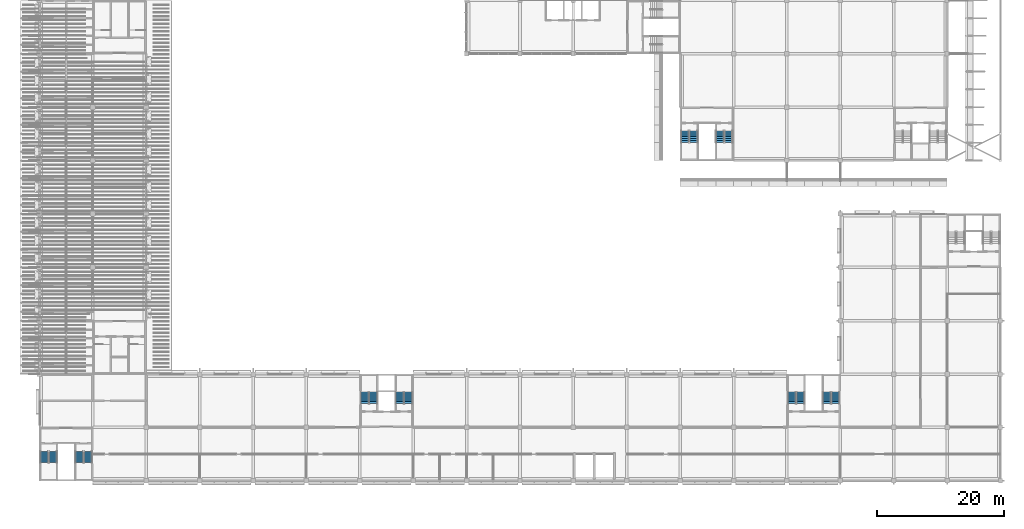
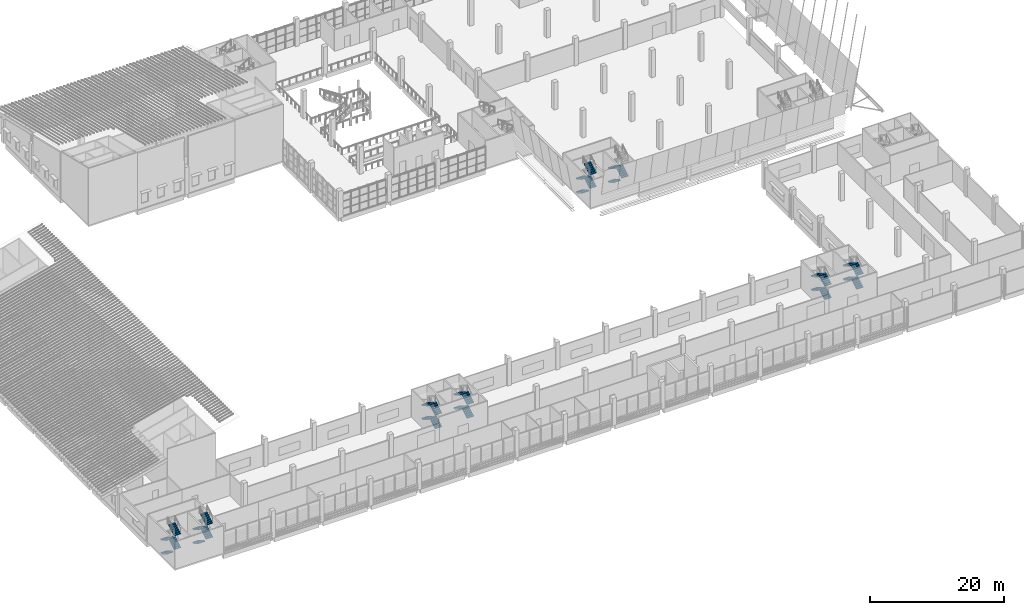
# One storey, part 29 of 82: 31 stair flights, 8 elements without a shape of their own.
"""IFC4 building model written with IfcOpenShell, lengths in metres."""

from ifc_helpers import new_model, si_unit, direction, frame, origin, place, context, subcontext, project, spatial, polyline, outline, extrude, material, type_object, element, aggregate, save


model = new_model("IFC4")

# Units and contexts
model_context = context("Model", 3, precision=1e-05, world=origin(), true_north=direction((0.0, 1.0)))
body_context = subcontext(model_context, "Body", "Model", "MODEL_VIEW")
ifc_project = project(units=[si_unit("LENGTHUNIT", "METRE"), si_unit("AREAUNIT", "SQUARE_METRE"), si_unit("VOLUMEUNIT", "CUBIC_METRE"), si_unit("PLANEANGLEUNIT", "RADIAN"), si_unit("MASSUNIT", "GRAM", prefix="KILO")], contexts=[model_context])

# Site, building, storey
site_placement = place(None, origin())
site = spatial("IfcSite", under=ifc_project, at=site_placement, CompositionType="ELEMENT")
building_placement = place(site_placement, origin())
building = spatial("IfcBuilding", under=site, at=building_placement, Name="Almond Square Museum", CompositionType="ELEMENT")
storey_placement = place(building_placement, frame((0.0, 0.0, 20.0)))
storey = spatial("IfcBuildingStorey", under=building, at=storey_placement, Name="L03", CompositionType="ELEMENT", Elevation=20.0)

# Stair, stair flights
ifc_material_1 = material(Name="Concrete C40/50", Category="concrete")
stair_type = type_object("IfcStairType", Name="Exit stair 28 risers of 179 mm", PredefinedType="HALF_TURN_STAIR", material=ifc_material_1)
stair_1_placement = place(storey_placement, origin())
stair_1 = element("IfcStair", 1, at=stair_1_placement, inside=storey, type_object=stair_type, Name="L03 stair H1-1", PredefinedType="HALF_TURN_STAIR")
ifc_material_2 = material(Name="Concrete C40/50", Category="concrete")
stair_flight_type = type_object("IfcStairFlightType", Name="Concrete flight", PredefinedType="STRAIGHT", material=ifc_material_2)
stair_flight_1_placement = place(storey_placement, frame((107.574951171875, 55.050048828125, 0.0), z_axis=(0.0, 0.0, 1.0), x_axis=(0.0, -1.0, 0.0)))
stair_flight_1 = element("IfcStairFlight", 2, at=stair_flight_1_placement, type_object=stair_flight_type, Name="ST-01 flight 1", NumberOfRisers=7, NumberOfTreads=6, PredefinedType="STRAIGHT", RiserHeight=0.178571429, TreadLength=0.3, context=body_context, shape_type="SweptSolid", body=[
    extrude(outline(polyline([(0.0, 0.0), (0.0, 0.178466796875), (0.300048828125, 0.178466796875), (0.300048828125, 0.357177734375), (0.60009765625, 0.357177734375), (0.60009765625, 0.53564453125), (0.89990234375, 0.53564453125), (0.89990234375, 0.71435546875), (1.199951171875, 0.71435546875), (1.199951171875, 0.892822265625), (1.5, 0.892822265625), (1.5, 1.071533203125), (1.800048828125, 1.071533203125), (1.800048828125, 1.25), (1.800048828125, 0.89697265625), (0.29296875, 0.0), (0.0, 0.0)])), frame((0.0, 0.574951171875, 0.0), z_axis=(0.0, -1.0, 0.0), x_axis=(1.0, 0.0, 0.0)), (0.0, 0.0, 1.0), 1.14990234375),
])
stair_flight_2_placement = place(storey_placement, frame((108.925048828125, 53.25, 1.25), z_axis=(0.0, 0.0, 1.0), x_axis=(0.0, 1.0, 0.0)))
stair_flight_2 = element("IfcStairFlight", 3, at=stair_flight_2_placement, type_object=stair_flight_type, Name="ST-01 flight 2", NumberOfRisers=7, NumberOfTreads=6, PredefinedType="STRAIGHT", RiserHeight=0.178571429, TreadLength=0.3, context=body_context, shape_type="SweptSolid", body=[
    extrude(outline(polyline([(0.0, 0.0), (0.0, 0.178466796875), (0.300048828125, 0.178466796875), (0.300048828125, 0.357177734375), (0.60009765625, 0.357177734375), (0.60009765625, 0.53564453125), (0.89990234375, 0.53564453125), (0.89990234375, 0.71435546875), (1.199951171875, 0.71435546875), (1.199951171875, 0.892822265625), (1.5, 0.892822265625), (1.5, 1.071533203125), (1.800048828125, 1.071533203125), (1.800048828125, 1.25), (1.800048828125, 0.89697265625), (0.29296875, 0.0), (0.0, 0.0)])), frame((0.0, 0.574951171875, 0.0), z_axis=(0.0, -1.0, 0.0), x_axis=(1.0, 0.0, 0.0)), (0.0, 0.0, 1.0), 1.14990234375),
])
stair_flight_3_placement = place(storey_placement, frame((107.574951171875, 55.050048828125, 2.5), z_axis=(0.0, 0.0, 1.0), x_axis=(0.0, -1.0, 0.0)))
stair_flight_3 = element("IfcStairFlight", 4, at=stair_flight_3_placement, type_object=stair_flight_type, Name="ST-01 flight 3", NumberOfRisers=7, NumberOfTreads=6, PredefinedType="STRAIGHT", RiserHeight=0.178571429, TreadLength=0.3, context=body_context, shape_type="SweptSolid", body=[
    extrude(outline(polyline([(0.0, 0.0), (0.0, 0.178466796875), (0.300048828125, 0.178466796875), (0.300048828125, 0.357177734375), (0.60009765625, 0.357177734375), (0.60009765625, 0.53564453125), (0.89990234375, 0.53564453125), (0.89990234375, 0.71435546875), (1.199951171875, 0.71435546875), (1.199951171875, 0.892822265625), (1.5, 0.892822265625), (1.5, 1.071533203125), (1.800048828125, 1.071533203125), (1.800048828125, 1.25), (1.800048828125, 0.89697265625), (0.29296875, 0.0), (0.0, 0.0)])), frame((0.0, 0.574951171875, 0.0), z_axis=(0.0, -1.0, 0.0), x_axis=(1.0, 0.0, 0.0)), (0.0, 0.0, 1.0), 1.14990234375),
])
stair_flight_4_placement = place(storey_placement, frame((108.925048828125, 53.25, 3.75), z_axis=(0.0, 0.0, 1.0), x_axis=(0.0, 1.0, 0.0)))
stair_flight_4 = element("IfcStairFlight", 5, at=stair_flight_4_placement, type_object=stair_flight_type, Name="ST-01 flight 4", NumberOfRisers=7, NumberOfTreads=6, PredefinedType="STRAIGHT", RiserHeight=0.178571429, TreadLength=0.3, context=body_context, shape_type="SweptSolid", body=[
    extrude(outline(polyline([(0.0, 0.0), (0.0, 0.178466796875), (0.300048828125, 0.178466796875), (0.300048828125, 0.357177734375), (0.60009765625, 0.357177734375), (0.60009765625, 0.53564453125), (0.89990234375, 0.53564453125), (0.89990234375, 0.71435546875), (1.199951171875, 0.71435546875), (1.199951171875, 0.892822265625), (1.5, 0.892822265625), (1.5, 1.071533203125), (1.800048828125, 1.071533203125), (1.800048828125, 1.25), (1.800048828125, 0.89697265625), (0.29296875, 0.0), (0.0, 0.0)])), frame((0.0, 0.574951171875, 0.0), z_axis=(0.0, -1.0, 0.0), x_axis=(1.0, 0.0, 0.0)), (0.0, 0.0, 1.0), 1.14990234375),
])
aggregate(stair_1, [stair_flight_1, stair_flight_2, stair_flight_3, stair_flight_4])

stair_2_placement = place(storey_placement, origin())
stair_2 = element("IfcStair", 6, at=stair_2_placement, inside=storey, type_object=stair_type, Name="L03 stair H1-2", PredefinedType="HALF_TURN_STAIR")
stair_flight_5_placement = place(storey_placement, frame((113.074951171875, 55.050048828125, 0.0), z_axis=(0.0, 0.0, 1.0), x_axis=(0.0, -1.0, 0.0)))
stair_flight_5 = element("IfcStairFlight", 7, at=stair_flight_5_placement, type_object=stair_flight_type, Name="ST-02 flight 1", NumberOfRisers=7, NumberOfTreads=6, PredefinedType="STRAIGHT", RiserHeight=0.178571429, TreadLength=0.3, context=body_context, shape_type="SweptSolid", body=[
    extrude(outline(polyline([(0.0, 0.0), (0.0, 0.178466796875), (0.300048828125, 0.178466796875), (0.300048828125, 0.357177734375), (0.60009765625, 0.357177734375), (0.60009765625, 0.53564453125), (0.89990234375, 0.53564453125), (0.89990234375, 0.71435546875), (1.199951171875, 0.71435546875), (1.199951171875, 0.892822265625), (1.5, 0.892822265625), (1.5, 1.071533203125), (1.800048828125, 1.071533203125), (1.800048828125, 1.25), (1.800048828125, 0.89697265625), (0.29296875, 0.0), (0.0, 0.0)])), frame((0.0, 0.574951171875, 0.0), z_axis=(0.0, -1.0, 0.0), x_axis=(1.0, 0.0, 0.0)), (0.0, 0.0, 1.0), 1.14990234375),
])
stair_flight_6_placement = place(storey_placement, frame((114.425048828125, 53.25, 1.25), z_axis=(0.0, 0.0, 1.0), x_axis=(0.0, 1.0, 0.0)))
stair_flight_6 = element("IfcStairFlight", 8, at=stair_flight_6_placement, type_object=stair_flight_type, Name="ST-02 flight 2", NumberOfRisers=7, NumberOfTreads=6, PredefinedType="STRAIGHT", RiserHeight=0.178571429, TreadLength=0.3, context=body_context, shape_type="SweptSolid", body=[
    extrude(outline(polyline([(0.0, 0.0), (0.0, 0.178466796875), (0.300048828125, 0.178466796875), (0.300048828125, 0.357177734375), (0.60009765625, 0.357177734375), (0.60009765625, 0.53564453125), (0.89990234375, 0.53564453125), (0.89990234375, 0.71435546875), (1.199951171875, 0.71435546875), (1.199951171875, 0.892822265625), (1.5, 0.892822265625), (1.5, 1.071533203125), (1.800048828125, 1.071533203125), (1.800048828125, 1.25), (1.800048828125, 0.89697265625), (0.29296875, 0.0), (0.0, 0.0)])), frame((0.0, 0.574951171875, 0.0), z_axis=(0.0, -1.0, 0.0), x_axis=(1.0, 0.0, 0.0)), (0.0, 0.0, 1.0), 1.14990234375),
])
stair_flight_7_placement = place(storey_placement, frame((113.074951171875, 55.050048828125, 2.5), z_axis=(0.0, 0.0, 1.0), x_axis=(0.0, -1.0, 0.0)))
stair_flight_7 = element("IfcStairFlight", 9, at=stair_flight_7_placement, type_object=stair_flight_type, Name="ST-02 flight 3", NumberOfRisers=7, NumberOfTreads=6, PredefinedType="STRAIGHT", RiserHeight=0.178571429, TreadLength=0.3, context=body_context, shape_type="SweptSolid", body=[
    extrude(outline(polyline([(0.0, 0.0), (0.0, 0.178466796875), (0.300048828125, 0.178466796875), (0.300048828125, 0.357177734375), (0.60009765625, 0.357177734375), (0.60009765625, 0.53564453125), (0.89990234375, 0.53564453125), (0.89990234375, 0.71435546875), (1.199951171875, 0.71435546875), (1.199951171875, 0.892822265625), (1.5, 0.892822265625), (1.5, 1.071533203125), (1.800048828125, 1.071533203125), (1.800048828125, 1.25), (1.800048828125, 0.89697265625), (0.29296875, 0.0), (0.0, 0.0)])), frame((0.0, 0.574951171875, 0.0), z_axis=(0.0, -1.0, 0.0), x_axis=(1.0, 0.0, 0.0)), (0.0, 0.0, 1.0), 1.14990234375),
])
aggregate(stair_2, [stair_flight_5, stair_flight_6, stair_flight_7])

stair_3_placement = place(storey_placement, origin())
stair_3 = element("IfcStair", 10, at=stair_3_placement, inside=storey, type_object=stair_type, Name="L03 stair S1-1", PredefinedType="HALF_TURN_STAIR")
stair_flight_8_placement = place(storey_placement, frame((6.77490234375, 4.64990234375, 0.0), z_axis=(0.0, 0.0, 1.0), x_axis=(0.0, -1.0, 0.0)))
stair_flight_8 = element("IfcStairFlight", 11, at=stair_flight_8_placement, type_object=stair_flight_type, Name="ST-27 flight 1", NumberOfRisers=7, NumberOfTreads=6, PredefinedType="STRAIGHT", RiserHeight=0.178571429, TreadLength=0.3, context=body_context, shape_type="SweptSolid", body=[
    extrude(outline(polyline([(0.0, 0.0), (0.0, 0.178466796875), (0.300048828125, 0.178466796875), (0.300048828125, 0.357177734375), (0.60009765625, 0.357177734375), (0.60009765625, 0.53564453125), (0.89990234375, 0.53564453125), (0.89990234375, 0.71435546875), (1.199951171875, 0.71435546875), (1.199951171875, 0.892822265625), (1.5, 0.892822265625), (1.5, 1.071533203125), (1.800048828125, 1.071533203125), (1.800048828125, 1.25), (1.800048828125, 0.89697265625), (0.29296875, 0.0), (0.0, 0.0)])), frame((0.0, 0.574951171875, 0.0), z_axis=(0.0, -1.0, 0.0), x_axis=(1.0, 0.0, 0.0)), (0.0, 0.0, 1.0), 1.14990234375),
])
stair_flight_9_placement = place(storey_placement, frame((8.125, 2.85009765625, 1.25), z_axis=(0.0, 0.0, 1.0), x_axis=(0.0, 1.0, 0.0)))
stair_flight_9 = element("IfcStairFlight", 12, at=stair_flight_9_placement, type_object=stair_flight_type, Name="ST-27 flight 2", NumberOfRisers=7, NumberOfTreads=6, PredefinedType="STRAIGHT", RiserHeight=0.178571429, TreadLength=0.3, context=body_context, shape_type="SweptSolid", body=[
    extrude(outline(polyline([(0.0, 0.0), (0.0, 0.178466796875), (0.300048828125, 0.178466796875), (0.300048828125, 0.357177734375), (0.60009765625, 0.357177734375), (0.60009765625, 0.53564453125), (0.89990234375, 0.53564453125), (0.89990234375, 0.71435546875), (1.199951171875, 0.71435546875), (1.199951171875, 0.892822265625), (1.5, 0.892822265625), (1.5, 1.071533203125), (1.800048828125, 1.071533203125), (1.800048828125, 1.25), (1.800048828125, 0.89697265625), (0.29296875, 0.0), (0.0, 0.0)])), frame((0.0, 0.574951171875, 0.0), z_axis=(0.0, -1.0, 0.0), x_axis=(1.0, 0.0, 0.0)), (0.0, 0.0, 1.0), 1.14990234375),
])
stair_flight_10_placement = place(storey_placement, frame((6.77490234375, 4.64990234375, 2.5), z_axis=(0.0, 0.0, 1.0), x_axis=(0.0, -1.0, 0.0)))
stair_flight_10 = element("IfcStairFlight", 13, at=stair_flight_10_placement, type_object=stair_flight_type, Name="ST-27 flight 3", NumberOfRisers=7, NumberOfTreads=6, PredefinedType="STRAIGHT", RiserHeight=0.178571429, TreadLength=0.3, context=body_context, shape_type="SweptSolid", body=[
    extrude(outline(polyline([(0.0, 0.0), (0.0, 0.178466796875), (0.300048828125, 0.178466796875), (0.300048828125, 0.357177734375), (0.60009765625, 0.357177734375), (0.60009765625, 0.53564453125), (0.89990234375, 0.53564453125), (0.89990234375, 0.71435546875), (1.199951171875, 0.71435546875), (1.199951171875, 0.892822265625), (1.5, 0.892822265625), (1.5, 1.071533203125), (1.800048828125, 1.071533203125), (1.800048828125, 1.25), (1.800048828125, 0.89697265625), (0.29296875, 0.0), (0.0, 0.0)])), frame((0.0, 0.574951171875, 0.0), z_axis=(0.0, -1.0, 0.0), x_axis=(1.0, 0.0, 0.0)), (0.0, 0.0, 1.0), 1.14990234375),
])
stair_flight_11_placement = place(storey_placement, frame((8.125, 2.85009765625, 3.75), z_axis=(0.0, 0.0, 1.0), x_axis=(0.0, 1.0, 0.0)))
stair_flight_11 = element("IfcStairFlight", 14, at=stair_flight_11_placement, type_object=stair_flight_type, Name="ST-27 flight 4", NumberOfRisers=7, NumberOfTreads=6, PredefinedType="STRAIGHT", RiserHeight=0.178571429, TreadLength=0.3, context=body_context, shape_type="SweptSolid", body=[
    extrude(outline(polyline([(0.0, 0.0), (0.0, 0.178466796875), (0.300048828125, 0.178466796875), (0.300048828125, 0.357177734375), (0.60009765625, 0.357177734375), (0.60009765625, 0.53564453125), (0.89990234375, 0.53564453125), (0.89990234375, 0.71435546875), (1.199951171875, 0.71435546875), (1.199951171875, 0.892822265625), (1.5, 0.892822265625), (1.5, 1.071533203125), (1.800048828125, 1.071533203125), (1.800048828125, 1.25), (1.800048828125, 0.89697265625), (0.29296875, 0.0), (0.0, 0.0)])), frame((0.0, 0.574951171875, 0.0), z_axis=(0.0, -1.0, 0.0), x_axis=(1.0, 0.0, 0.0)), (0.0, 0.0, 1.0), 1.14990234375),
])
aggregate(stair_3, [stair_flight_8, stair_flight_9, stair_flight_10, stair_flight_11])

stair_4_placement = place(storey_placement, origin())
stair_4 = element("IfcStair", 15, at=stair_4_placement, inside=storey, type_object=stair_type, Name="L03 stair S1-2", PredefinedType="HALF_TURN_STAIR")
stair_flight_12_placement = place(storey_placement, frame((12.27490234375, 4.64990234375, 0.0), z_axis=(0.0, 0.0, 1.0), x_axis=(0.0, -1.0, 0.0)))
stair_flight_12 = element("IfcStairFlight", 16, at=stair_flight_12_placement, type_object=stair_flight_type, Name="ST-28 flight 1", NumberOfRisers=7, NumberOfTreads=6, PredefinedType="STRAIGHT", RiserHeight=0.178571429, TreadLength=0.3, context=body_context, shape_type="SweptSolid", body=[
    extrude(outline(polyline([(0.0, 0.0), (0.0, 0.178466796875), (0.300048828125, 0.178466796875), (0.300048828125, 0.357177734375), (0.60009765625, 0.357177734375), (0.60009765625, 0.53564453125), (0.89990234375, 0.53564453125), (0.89990234375, 0.71435546875), (1.199951171875, 0.71435546875), (1.199951171875, 0.892822265625), (1.5, 0.892822265625), (1.5, 1.071533203125), (1.800048828125, 1.071533203125), (1.800048828125, 1.25), (1.800048828125, 0.89697265625), (0.29296875, 0.0), (0.0, 0.0)])), frame((0.0, 0.574951171875, 0.0), z_axis=(0.0, -1.0, 0.0), x_axis=(1.0, 0.0, 0.0)), (0.0, 0.0, 1.0), 1.14990234375),
])
stair_flight_13_placement = place(storey_placement, frame((13.625, 2.85009765625, 1.25), z_axis=(0.0, 0.0, 1.0), x_axis=(0.0, 1.0, 0.0)))
stair_flight_13 = element("IfcStairFlight", 17, at=stair_flight_13_placement, type_object=stair_flight_type, Name="ST-28 flight 2", NumberOfRisers=7, NumberOfTreads=6, PredefinedType="STRAIGHT", RiserHeight=0.178571429, TreadLength=0.3, context=body_context, shape_type="SweptSolid", body=[
    extrude(outline(polyline([(0.0, 0.0), (0.0, 0.178466796875), (0.300048828125, 0.178466796875), (0.300048828125, 0.357177734375), (0.60009765625, 0.357177734375), (0.60009765625, 0.53564453125), (0.89990234375, 0.53564453125), (0.89990234375, 0.71435546875), (1.199951171875, 0.71435546875), (1.199951171875, 0.892822265625), (1.5, 0.892822265625), (1.5, 1.071533203125), (1.800048828125, 1.071533203125), (1.800048828125, 1.25), (1.800048828125, 0.89697265625), (0.29296875, 0.0), (0.0, 0.0)])), frame((0.0, 0.574951171875, 0.0), z_axis=(0.0, -1.0, 0.0), x_axis=(1.0, 0.0, 0.0)), (0.0, 0.0, 1.0), 1.14990234375),
])
stair_flight_14_placement = place(storey_placement, frame((12.27490234375, 4.64990234375, 2.5), z_axis=(0.0, 0.0, 1.0), x_axis=(0.0, -1.0, 0.0)))
stair_flight_14 = element("IfcStairFlight", 18, at=stair_flight_14_placement, type_object=stair_flight_type, Name="ST-28 flight 3", NumberOfRisers=7, NumberOfTreads=6, PredefinedType="STRAIGHT", RiserHeight=0.178571429, TreadLength=0.3, context=body_context, shape_type="SweptSolid", body=[
    extrude(outline(polyline([(0.0, 0.0), (0.0, 0.178466796875), (0.300048828125, 0.178466796875), (0.300048828125, 0.357177734375), (0.60009765625, 0.357177734375), (0.60009765625, 0.53564453125), (0.89990234375, 0.53564453125), (0.89990234375, 0.71435546875), (1.199951171875, 0.71435546875), (1.199951171875, 0.892822265625), (1.5, 0.892822265625), (1.5, 1.071533203125), (1.800048828125, 1.071533203125), (1.800048828125, 1.25), (1.800048828125, 0.89697265625), (0.29296875, 0.0), (0.0, 0.0)])), frame((0.0, 0.574951171875, 0.0), z_axis=(0.0, -1.0, 0.0), x_axis=(1.0, 0.0, 0.0)), (0.0, 0.0, 1.0), 1.14990234375),
])
stair_flight_15_placement = place(storey_placement, frame((13.625, 2.85009765625, 3.75), z_axis=(0.0, 0.0, 1.0), x_axis=(0.0, 1.0, 0.0)))
stair_flight_15 = element("IfcStairFlight", 19, at=stair_flight_15_placement, type_object=stair_flight_type, Name="ST-28 flight 4", NumberOfRisers=7, NumberOfTreads=6, PredefinedType="STRAIGHT", RiserHeight=0.178571429, TreadLength=0.3, context=body_context, shape_type="SweptSolid", body=[
    extrude(outline(polyline([(0.0, 0.0), (0.0, 0.178466796875), (0.300048828125, 0.178466796875), (0.300048828125, 0.357177734375), (0.60009765625, 0.357177734375), (0.60009765625, 0.53564453125), (0.89990234375, 0.53564453125), (0.89990234375, 0.71435546875), (1.199951171875, 0.71435546875), (1.199951171875, 0.892822265625), (1.5, 0.892822265625), (1.5, 1.071533203125), (1.800048828125, 1.071533203125), (1.800048828125, 1.25), (1.800048828125, 0.89697265625), (0.29296875, 0.0), (0.0, 0.0)])), frame((0.0, 0.574951171875, 0.0), z_axis=(0.0, -1.0, 0.0), x_axis=(1.0, 0.0, 0.0)), (0.0, 0.0, 1.0), 1.14990234375),
])
aggregate(stair_4, [stair_flight_12, stair_flight_13, stair_flight_14, stair_flight_15])

stair_5_placement = place(storey_placement, origin())
stair_5 = element("IfcStair", 20, at=stair_5_placement, inside=storey, type_object=stair_type, Name="L03 stair S2-1", PredefinedType="HALF_TURN_STAIR")
stair_flight_16_placement = place(storey_placement, frame((58.52490234375, 12.14990234375, 0.0), z_axis=(0.0, 0.0, 1.0), x_axis=(0.0, 1.0, 0.0)))
stair_flight_16 = element("IfcStairFlight", 21, at=stair_flight_16_placement, type_object=stair_flight_type, Name="ST-29 flight 1", NumberOfRisers=7, NumberOfTreads=6, PredefinedType="STRAIGHT", RiserHeight=0.178571429, TreadLength=0.3, context=body_context, shape_type="SweptSolid", body=[
    extrude(outline(polyline([(0.0, 0.0), (0.0, 0.178466796875), (0.300048828125, 0.178466796875), (0.300048828125, 0.357177734375), (0.60009765625, 0.357177734375), (0.60009765625, 0.53564453125), (0.89990234375, 0.53564453125), (0.89990234375, 0.71435546875), (1.199951171875, 0.71435546875), (1.199951171875, 0.892822265625), (1.5, 0.892822265625), (1.5, 1.071533203125), (1.800048828125, 1.071533203125), (1.800048828125, 1.25), (1.800048828125, 0.89697265625), (0.29296875, 0.0), (0.0, 0.0)])), frame((0.0, 0.574951171875, 0.0), z_axis=(0.0, -1.0, 0.0), x_axis=(1.0, 0.0, 0.0)), (0.0, 0.0, 1.0), 1.14990234375),
])
stair_flight_17_placement = place(storey_placement, frame((57.175048828125, 13.949951171875, 1.25), z_axis=(0.0, 0.0, 1.0), x_axis=(0.0, -1.0, 0.0)))
stair_flight_17 = element("IfcStairFlight", 22, at=stair_flight_17_placement, type_object=stair_flight_type, Name="ST-29 flight 2", NumberOfRisers=7, NumberOfTreads=6, PredefinedType="STRAIGHT", RiserHeight=0.178571429, TreadLength=0.3, context=body_context, shape_type="SweptSolid", body=[
    extrude(outline(polyline([(0.0, 0.0), (0.0, 0.178466796875), (0.300048828125, 0.178466796875), (0.300048828125, 0.357177734375), (0.60009765625, 0.357177734375), (0.60009765625, 0.53564453125), (0.89990234375, 0.53564453125), (0.89990234375, 0.71435546875), (1.199951171875, 0.71435546875), (1.199951171875, 0.892822265625), (1.5, 0.892822265625), (1.5, 1.071533203125), (1.800048828125, 1.071533203125), (1.800048828125, 1.25), (1.800048828125, 0.89697265625), (0.29296875, 0.0), (0.0, 0.0)])), frame((0.0, 0.574951171875, 0.0), z_axis=(0.0, -1.0, 0.0), x_axis=(1.0, 0.0, 0.0)), (0.0, 0.0, 1.0), 1.14990234375),
])
stair_flight_18_placement = place(storey_placement, frame((58.52490234375, 12.14990234375, 2.5), z_axis=(0.0, 0.0, 1.0), x_axis=(0.0, 1.0, 0.0)))
stair_flight_18 = element("IfcStairFlight", 23, at=stair_flight_18_placement, type_object=stair_flight_type, Name="ST-29 flight 3", NumberOfRisers=7, NumberOfTreads=6, PredefinedType="STRAIGHT", RiserHeight=0.178571429, TreadLength=0.3, context=body_context, shape_type="SweptSolid", body=[
    extrude(outline(polyline([(0.0, 0.0), (0.0, 0.178466796875), (0.300048828125, 0.178466796875), (0.300048828125, 0.357177734375), (0.60009765625, 0.357177734375), (0.60009765625, 0.53564453125), (0.89990234375, 0.53564453125), (0.89990234375, 0.71435546875), (1.199951171875, 0.71435546875), (1.199951171875, 0.892822265625), (1.5, 0.892822265625), (1.5, 1.071533203125), (1.800048828125, 1.071533203125), (1.800048828125, 1.25), (1.800048828125, 0.89697265625), (0.29296875, 0.0), (0.0, 0.0)])), frame((0.0, 0.574951171875, 0.0), z_axis=(0.0, -1.0, 0.0), x_axis=(1.0, 0.0, 0.0)), (0.0, 0.0, 1.0), 1.14990234375),
])
stair_flight_19_placement = place(storey_placement, frame((57.175048828125, 13.949951171875, 3.75), z_axis=(0.0, 0.0, 1.0), x_axis=(0.0, -1.0, 0.0)))
stair_flight_19 = element("IfcStairFlight", 24, at=stair_flight_19_placement, type_object=stair_flight_type, Name="ST-29 flight 4", NumberOfRisers=7, NumberOfTreads=6, PredefinedType="STRAIGHT", RiserHeight=0.178571429, TreadLength=0.3, context=body_context, shape_type="SweptSolid", body=[
    extrude(outline(polyline([(0.0, 0.0), (0.0, 0.178466796875), (0.300048828125, 0.178466796875), (0.300048828125, 0.357177734375), (0.60009765625, 0.357177734375), (0.60009765625, 0.53564453125), (0.89990234375, 0.53564453125), (0.89990234375, 0.71435546875), (1.199951171875, 0.71435546875), (1.199951171875, 0.892822265625), (1.5, 0.892822265625), (1.5, 1.071533203125), (1.800048828125, 1.071533203125), (1.800048828125, 1.25), (1.800048828125, 0.89697265625), (0.29296875, 0.0), (0.0, 0.0)])), frame((0.0, 0.574951171875, 0.0), z_axis=(0.0, -1.0, 0.0), x_axis=(1.0, 0.0, 0.0)), (0.0, 0.0, 1.0), 1.14990234375),
])
aggregate(stair_5, [stair_flight_16, stair_flight_17, stair_flight_18, stair_flight_19])

stair_6_placement = place(storey_placement, origin())
stair_6 = element("IfcStair", 25, at=stair_6_placement, inside=storey, type_object=stair_type, Name="L03 stair S2-2", PredefinedType="HALF_TURN_STAIR")
stair_flight_20_placement = place(storey_placement, frame((64.02490234375, 12.14990234375, 0.0), z_axis=(0.0, 0.0, 1.0), x_axis=(0.0, 1.0, 0.0)))
stair_flight_20 = element("IfcStairFlight", 26, at=stair_flight_20_placement, type_object=stair_flight_type, Name="ST-30 flight 1", NumberOfRisers=7, NumberOfTreads=6, PredefinedType="STRAIGHT", RiserHeight=0.178571429, TreadLength=0.3, context=body_context, shape_type="SweptSolid", body=[
    extrude(outline(polyline([(0.0, 0.0), (0.0, 0.178466796875), (0.300048828125, 0.178466796875), (0.300048828125, 0.357177734375), (0.60009765625, 0.357177734375), (0.60009765625, 0.53564453125), (0.89990234375, 0.53564453125), (0.89990234375, 0.71435546875), (1.199951171875, 0.71435546875), (1.199951171875, 0.892822265625), (1.5, 0.892822265625), (1.5, 1.071533203125), (1.800048828125, 1.071533203125), (1.800048828125, 1.25), (1.800048828125, 0.89697265625), (0.29296875, 0.0), (0.0, 0.0)])), frame((0.0, 0.574951171875, 0.0), z_axis=(0.0, -1.0, 0.0), x_axis=(1.0, 0.0, 0.0)), (0.0, 0.0, 1.0), 1.14990234375),
])
stair_flight_21_placement = place(storey_placement, frame((62.675048828125, 13.949951171875, 1.25), z_axis=(0.0, 0.0, 1.0), x_axis=(0.0, -1.0, 0.0)))
stair_flight_21 = element("IfcStairFlight", 27, at=stair_flight_21_placement, type_object=stair_flight_type, Name="ST-30 flight 2", NumberOfRisers=7, NumberOfTreads=6, PredefinedType="STRAIGHT", RiserHeight=0.178571429, TreadLength=0.3, context=body_context, shape_type="SweptSolid", body=[
    extrude(outline(polyline([(0.0, 0.0), (0.0, 0.178466796875), (0.300048828125, 0.178466796875), (0.300048828125, 0.357177734375), (0.60009765625, 0.357177734375), (0.60009765625, 0.53564453125), (0.89990234375, 0.53564453125), (0.89990234375, 0.71435546875), (1.199951171875, 0.71435546875), (1.199951171875, 0.892822265625), (1.5, 0.892822265625), (1.5, 1.071533203125), (1.800048828125, 1.071533203125), (1.800048828125, 1.25), (1.800048828125, 0.89697265625), (0.29296875, 0.0), (0.0, 0.0)])), frame((0.0, 0.574951171875, 0.0), z_axis=(0.0, -1.0, 0.0), x_axis=(1.0, 0.0, 0.0)), (0.0, 0.0, 1.0), 1.14990234375),
])
stair_flight_22_placement = place(storey_placement, frame((64.02490234375, 12.14990234375, 2.5), z_axis=(0.0, 0.0, 1.0), x_axis=(0.0, 1.0, 0.0)))
stair_flight_22 = element("IfcStairFlight", 28, at=stair_flight_22_placement, type_object=stair_flight_type, Name="ST-30 flight 3", NumberOfRisers=7, NumberOfTreads=6, PredefinedType="STRAIGHT", RiserHeight=0.178571429, TreadLength=0.3, context=body_context, shape_type="SweptSolid", body=[
    extrude(outline(polyline([(0.0, 0.0), (0.0, 0.178466796875), (0.300048828125, 0.178466796875), (0.300048828125, 0.357177734375), (0.60009765625, 0.357177734375), (0.60009765625, 0.53564453125), (0.89990234375, 0.53564453125), (0.89990234375, 0.71435546875), (1.199951171875, 0.71435546875), (1.199951171875, 0.892822265625), (1.5, 0.892822265625), (1.5, 1.071533203125), (1.800048828125, 1.071533203125), (1.800048828125, 1.25), (1.800048828125, 0.89697265625), (0.29296875, 0.0), (0.0, 0.0)])), frame((0.0, 0.574951171875, 0.0), z_axis=(0.0, -1.0, 0.0), x_axis=(1.0, 0.0, 0.0)), (0.0, 0.0, 1.0), 1.14990234375),
])
stair_flight_23_placement = place(storey_placement, frame((62.675048828125, 13.949951171875, 3.75), z_axis=(0.0, 0.0, 1.0), x_axis=(0.0, -1.0, 0.0)))
stair_flight_23 = element("IfcStairFlight", 29, at=stair_flight_23_placement, type_object=stair_flight_type, Name="ST-30 flight 4", NumberOfRisers=7, NumberOfTreads=6, PredefinedType="STRAIGHT", RiserHeight=0.178571429, TreadLength=0.3, context=body_context, shape_type="SweptSolid", body=[
    extrude(outline(polyline([(0.0, 0.0), (0.0, 0.178466796875), (0.300048828125, 0.178466796875), (0.300048828125, 0.357177734375), (0.60009765625, 0.357177734375), (0.60009765625, 0.53564453125), (0.89990234375, 0.53564453125), (0.89990234375, 0.71435546875), (1.199951171875, 0.71435546875), (1.199951171875, 0.892822265625), (1.5, 0.892822265625), (1.5, 1.071533203125), (1.800048828125, 1.071533203125), (1.800048828125, 1.25), (1.800048828125, 0.89697265625), (0.29296875, 0.0), (0.0, 0.0)])), frame((0.0, 0.574951171875, 0.0), z_axis=(0.0, -1.0, 0.0), x_axis=(1.0, 0.0, 0.0)), (0.0, 0.0, 1.0), 1.14990234375),
])
aggregate(stair_6, [stair_flight_20, stair_flight_21, stair_flight_22, stair_flight_23])

stair_7_placement = place(storey_placement, origin())
stair_7 = element("IfcStair", 30, at=stair_7_placement, inside=storey, type_object=stair_type, Name="L03 stair S3-1", PredefinedType="HALF_TURN_STAIR")
stair_flight_24_placement = place(storey_placement, frame((125.72509765625, 12.14990234375, 0.0), z_axis=(0.0, 0.0, 1.0), x_axis=(0.0, 1.0, 0.0)))
stair_flight_24 = element("IfcStairFlight", 31, at=stair_flight_24_placement, type_object=stair_flight_type, Name="ST-31 flight 1", NumberOfRisers=7, NumberOfTreads=6, PredefinedType="STRAIGHT", RiserHeight=0.178571429, TreadLength=0.3, context=body_context, shape_type="SweptSolid", body=[
    extrude(outline(polyline([(0.0, 0.0), (0.0, 0.178466796875), (0.300048828125, 0.178466796875), (0.300048828125, 0.357177734375), (0.60009765625, 0.357177734375), (0.60009765625, 0.53564453125), (0.89990234375, 0.53564453125), (0.89990234375, 0.71435546875), (1.199951171875, 0.71435546875), (1.199951171875, 0.892822265625), (1.5, 0.892822265625), (1.5, 1.071533203125), (1.800048828125, 1.071533203125), (1.800048828125, 1.25), (1.800048828125, 0.89697265625), (0.29296875, 0.0), (0.0, 0.0)])), frame((0.0, 0.574951171875, 0.0), z_axis=(0.0, -1.0, 0.0), x_axis=(1.0, 0.0, 0.0)), (0.0, 0.0, 1.0), 1.14990234375),
])
stair_flight_25_placement = place(storey_placement, frame((124.375, 13.949951171875, 1.25), z_axis=(0.0, 0.0, 1.0), x_axis=(0.0, -1.0, 0.0)))
stair_flight_25 = element("IfcStairFlight", 32, at=stair_flight_25_placement, type_object=stair_flight_type, Name="ST-31 flight 2", NumberOfRisers=7, NumberOfTreads=6, PredefinedType="STRAIGHT", RiserHeight=0.178571429, TreadLength=0.3, context=body_context, shape_type="SweptSolid", body=[
    extrude(outline(polyline([(0.0, 0.0), (0.0, 0.178466796875), (0.300048828125, 0.178466796875), (0.300048828125, 0.357177734375), (0.60009765625, 0.357177734375), (0.60009765625, 0.53564453125), (0.89990234375, 0.53564453125), (0.89990234375, 0.71435546875), (1.199951171875, 0.71435546875), (1.199951171875, 0.892822265625), (1.5, 0.892822265625), (1.5, 1.071533203125), (1.800048828125, 1.071533203125), (1.800048828125, 1.25), (1.800048828125, 0.89697265625), (0.29296875, 0.0), (0.0, 0.0)])), frame((0.0, 0.574951171875, 0.0), z_axis=(0.0, -1.0, 0.0), x_axis=(1.0, 0.0, 0.0)), (0.0, 0.0, 1.0), 1.14990234375),
])
stair_flight_26_placement = place(storey_placement, frame((125.72509765625, 12.14990234375, 2.5), z_axis=(0.0, 0.0, 1.0), x_axis=(0.0, 1.0, 0.0)))
stair_flight_26 = element("IfcStairFlight", 33, at=stair_flight_26_placement, type_object=stair_flight_type, Name="ST-31 flight 3", NumberOfRisers=7, NumberOfTreads=6, PredefinedType="STRAIGHT", RiserHeight=0.178571429, TreadLength=0.3, context=body_context, shape_type="SweptSolid", body=[
    extrude(outline(polyline([(0.0, 0.0), (0.0, 0.178466796875), (0.300048828125, 0.178466796875), (0.300048828125, 0.357177734375), (0.60009765625, 0.357177734375), (0.60009765625, 0.53564453125), (0.89990234375, 0.53564453125), (0.89990234375, 0.71435546875), (1.199951171875, 0.71435546875), (1.199951171875, 0.892822265625), (1.5, 0.892822265625), (1.5, 1.071533203125), (1.800048828125, 1.071533203125), (1.800048828125, 1.25), (1.800048828125, 0.89697265625), (0.29296875, 0.0), (0.0, 0.0)])), frame((0.0, 0.574951171875, 0.0), z_axis=(0.0, -1.0, 0.0), x_axis=(1.0, 0.0, 0.0)), (0.0, 0.0, 1.0), 1.14990234375),
])
stair_flight_27_placement = place(storey_placement, frame((124.375, 13.949951171875, 3.75), z_axis=(0.0, 0.0, 1.0), x_axis=(0.0, -1.0, 0.0)))
stair_flight_27 = element("IfcStairFlight", 34, at=stair_flight_27_placement, type_object=stair_flight_type, Name="ST-31 flight 4", NumberOfRisers=7, NumberOfTreads=6, PredefinedType="STRAIGHT", RiserHeight=0.178571429, TreadLength=0.3, context=body_context, shape_type="SweptSolid", body=[
    extrude(outline(polyline([(0.0, 0.0), (0.0, 0.178466796875), (0.300048828125, 0.178466796875), (0.300048828125, 0.357177734375), (0.60009765625, 0.357177734375), (0.60009765625, 0.53564453125), (0.89990234375, 0.53564453125), (0.89990234375, 0.71435546875), (1.199951171875, 0.71435546875), (1.199951171875, 0.892822265625), (1.5, 0.892822265625), (1.5, 1.071533203125), (1.800048828125, 1.071533203125), (1.800048828125, 1.25), (1.800048828125, 0.89697265625), (0.29296875, 0.0), (0.0, 0.0)])), frame((0.0, 0.574951171875, 0.0), z_axis=(0.0, -1.0, 0.0), x_axis=(1.0, 0.0, 0.0)), (0.0, 0.0, 1.0), 1.14990234375),
])
aggregate(stair_7, [stair_flight_24, stair_flight_25, stair_flight_26, stair_flight_27])

stair_8_placement = place(storey_placement, origin())
stair_8 = element("IfcStair", 35, at=stair_8_placement, inside=storey, type_object=stair_type, Name="L03 stair S3-2", PredefinedType="HALF_TURN_STAIR")
stair_flight_28_placement = place(storey_placement, frame((131.22509765625, 12.14990234375, 0.0), z_axis=(0.0, 0.0, 1.0), x_axis=(0.0, 1.0, 0.0)))
stair_flight_28 = element("IfcStairFlight", 36, at=stair_flight_28_placement, type_object=stair_flight_type, Name="ST-32 flight 1", NumberOfRisers=7, NumberOfTreads=6, PredefinedType="STRAIGHT", RiserHeight=0.178571429, TreadLength=0.3, context=body_context, shape_type="SweptSolid", body=[
    extrude(outline(polyline([(0.0, 0.0), (0.0, 0.178466796875), (0.300048828125, 0.178466796875), (0.300048828125, 0.357177734375), (0.60009765625, 0.357177734375), (0.60009765625, 0.53564453125), (0.89990234375, 0.53564453125), (0.89990234375, 0.71435546875), (1.199951171875, 0.71435546875), (1.199951171875, 0.892822265625), (1.5, 0.892822265625), (1.5, 1.071533203125), (1.800048828125, 1.071533203125), (1.800048828125, 1.25), (1.800048828125, 0.89697265625), (0.29296875, 0.0), (0.0, 0.0)])), frame((0.0, 0.574951171875, 0.0), z_axis=(0.0, -1.0, 0.0), x_axis=(1.0, 0.0, 0.0)), (0.0, 0.0, 1.0), 1.14990234375),
])
stair_flight_29_placement = place(storey_placement, frame((129.875, 13.949951171875, 1.25), z_axis=(0.0, 0.0, 1.0), x_axis=(0.0, -1.0, 0.0)))
stair_flight_29 = element("IfcStairFlight", 37, at=stair_flight_29_placement, type_object=stair_flight_type, Name="ST-32 flight 2", NumberOfRisers=7, NumberOfTreads=6, PredefinedType="STRAIGHT", RiserHeight=0.178571429, TreadLength=0.3, context=body_context, shape_type="SweptSolid", body=[
    extrude(outline(polyline([(0.0, 0.0), (0.0, 0.178466796875), (0.300048828125, 0.178466796875), (0.300048828125, 0.357177734375), (0.60009765625, 0.357177734375), (0.60009765625, 0.53564453125), (0.89990234375, 0.53564453125), (0.89990234375, 0.71435546875), (1.199951171875, 0.71435546875), (1.199951171875, 0.892822265625), (1.5, 0.892822265625), (1.5, 1.071533203125), (1.800048828125, 1.071533203125), (1.800048828125, 1.25), (1.800048828125, 0.89697265625), (0.29296875, 0.0), (0.0, 0.0)])), frame((0.0, 0.574951171875, 0.0), z_axis=(0.0, -1.0, 0.0), x_axis=(1.0, 0.0, 0.0)), (0.0, 0.0, 1.0), 1.14990234375),
])
stair_flight_30_placement = place(storey_placement, frame((131.22509765625, 12.14990234375, 2.5), z_axis=(0.0, 0.0, 1.0), x_axis=(0.0, 1.0, 0.0)))
stair_flight_30 = element("IfcStairFlight", 38, at=stair_flight_30_placement, type_object=stair_flight_type, Name="ST-32 flight 3", NumberOfRisers=7, NumberOfTreads=6, PredefinedType="STRAIGHT", RiserHeight=0.178571429, TreadLength=0.3, context=body_context, shape_type="SweptSolid", body=[
    extrude(outline(polyline([(0.0, 0.0), (0.0, 0.178466796875), (0.300048828125, 0.178466796875), (0.300048828125, 0.357177734375), (0.60009765625, 0.357177734375), (0.60009765625, 0.53564453125), (0.89990234375, 0.53564453125), (0.89990234375, 0.71435546875), (1.199951171875, 0.71435546875), (1.199951171875, 0.892822265625), (1.5, 0.892822265625), (1.5, 1.071533203125), (1.800048828125, 1.071533203125), (1.800048828125, 1.25), (1.800048828125, 0.89697265625), (0.29296875, 0.0), (0.0, 0.0)])), frame((0.0, 0.574951171875, 0.0), z_axis=(0.0, -1.0, 0.0), x_axis=(1.0, 0.0, 0.0)), (0.0, 0.0, 1.0), 1.14990234375),
])
stair_flight_31_placement = place(storey_placement, frame((129.875, 13.949951171875, 3.75), z_axis=(0.0, 0.0, 1.0), x_axis=(0.0, -1.0, 0.0)))
stair_flight_31 = element("IfcStairFlight", 39, at=stair_flight_31_placement, type_object=stair_flight_type, Name="ST-32 flight 4", NumberOfRisers=7, NumberOfTreads=6, PredefinedType="STRAIGHT", RiserHeight=0.178571429, TreadLength=0.3, context=body_context, shape_type="SweptSolid", body=[
    extrude(outline(polyline([(0.0, 0.0), (0.0, 0.178466796875), (0.300048828125, 0.178466796875), (0.300048828125, 0.357177734375), (0.60009765625, 0.357177734375), (0.60009765625, 0.53564453125), (0.89990234375, 0.53564453125), (0.89990234375, 0.71435546875), (1.199951171875, 0.71435546875), (1.199951171875, 0.892822265625), (1.5, 0.892822265625), (1.5, 1.071533203125), (1.800048828125, 1.071533203125), (1.800048828125, 1.25), (1.800048828125, 0.89697265625), (0.29296875, 0.0), (0.0, 0.0)])), frame((0.0, 0.574951171875, 0.0), z_axis=(0.0, -1.0, 0.0), x_axis=(1.0, 0.0, 0.0)), (0.0, 0.0, 1.0), 1.14990234375),
])
aggregate(stair_8, [stair_flight_28, stair_flight_29, stair_flight_30, stair_flight_31])

save(model, "model.ifc")
